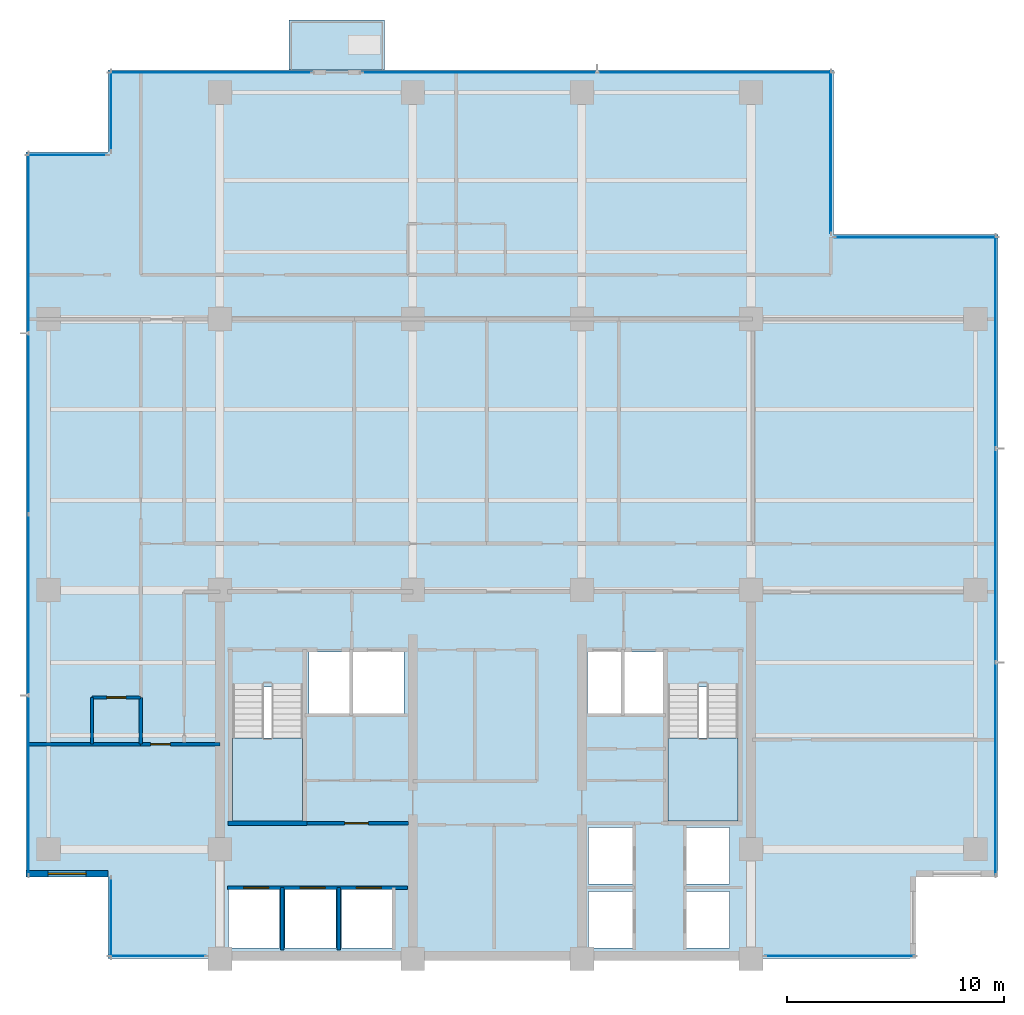
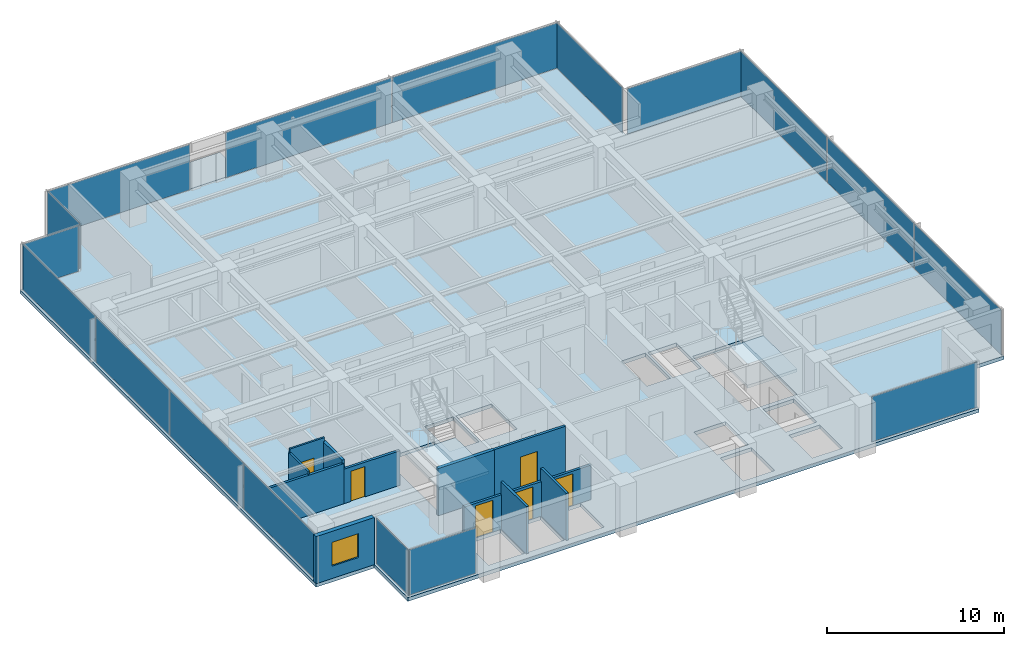
# One storey, part 6 of 14: 17 plates, 11 walls, 6 doors, 4 slabs, 1 window, 7 openings, 13 elements without a shape of their own.
"""IFC4 building model written with IfcOpenShell, lengths in metres."""

from ifc_helpers import new_model, si_unit, direction, frame, frame_2d, origin, origin_2d, place, context, subcontext, project, spatial, polyline, rectangle, outline, extrude, material, layer, layer_set, type_object, element, fill, aggregate, save


model = new_model("IFC4")

# Units and contexts
model_context = context("Model", 3, precision=1e-05, world=origin(), true_north=direction((0.0, 1.0)))
body_context = subcontext(model_context, "Body", "Model", "MODEL_VIEW")
ifc_project = project(units=[si_unit("LENGTHUNIT", "METRE"), si_unit("AREAUNIT", "SQUARE_METRE"), si_unit("VOLUMEUNIT", "CUBIC_METRE"), si_unit("PLANEANGLEUNIT", "RADIAN"), si_unit("MASSUNIT", "GRAM", prefix="KILO")], contexts=[model_context])

# Site, building, storey
site_placement = place(None, origin())
site = spatial("IfcSite", under=ifc_project, at=site_placement, CompositionType="ELEMENT")
building_placement = place(site_placement, origin())
building = spatial("IfcBuilding", under=site, at=building_placement, Name="Qalmaran Belvedere Hotel", CompositionType="ELEMENT")
storey_placement = place(building_placement, frame((0.0, 0.0, 177.10009765625)))
storey = spatial("IfcBuildingStorey", under=building, at=storey_placement, Name="L45", CompositionType="ELEMENT", Elevation=177.10009765625)

# Curtain wall, plate
ifc_material_1 = material(Name="Anodised Bronze Aluminium", Category="aluminium")
ifc_layer_1 = layer(ifc_material_1, 0.195068359375, Name="Anodised Bronze Aluminium")
ifc_layer_set_1 = layer_set([ifc_layer_1], Name="Anodised Bronze Aluminium")
curtain_wall_type = type_object("IfcCurtainWallType", Name="CW4-TOWER-HIGHMID", PredefinedType="NOTDEFINED", material=ifc_layer_set_1)
curtain_wall_1_placement = place(storey_placement, origin())
curtain_wall_1 = element("IfcCurtainWall", 1, at=curtain_wall_1_placement, inside=storey, type_object=curtain_wall_type, Name="L45 Curtain Wall CW4", PredefinedType="NOTDEFINED")
ifc_material_2 = material(Name="Solar-Control Double Glazing", Category="glass")
ifc_layer_2 = layer(ifc_material_2, 0.028076171875, Name="Solar-Control Double Glazing")
ifc_layer_set_2 = layer_set([ifc_layer_2], Name="Solar-Control Double Glazing")
plate_type = type_object("IfcPlateType", Name="CWP-VISION-28", PredefinedType="CURTAIN_PANEL", material=ifc_layer_set_2)
plate_1_placement = place(storey_placement, frame((17.429931640625, 3.6201171875, 0.06494140625), z_axis=(0.0, 0.0, 1.0), x_axis=(1.0, 0.0, 0.0)))
plate_1 = element("IfcPlate", 2, at=plate_1_placement, type_object=plate_type, Name="CW4 panel 1.1", PredefinedType="CURTAIN_PANEL", context=body_context, shape_type="SweptSolid", body=[
    extrude(rectangle(XDim=4.419921875, YDim=0.028076171875, at=origin_2d()), origin(), (0.0, 0.0, 1.0), 3.1201171875),
])
aggregate(curtain_wall_1, [plate_1])

curtain_wall_2_placement = place(storey_placement, origin())
curtain_wall_2 = element("IfcCurtainWall", 3, at=curtain_wall_2_placement, inside=storey, type_object=curtain_wall_type, Name="L45 Curtain Wall CW4", PredefinedType="NOTDEFINED")
plate_2_placement = place(storey_placement, frame((48.89501953125, 3.6201171875, 0.06494140625), z_axis=(0.0, 0.0, 1.0), x_axis=(1.0, 0.0, 0.0)))
plate_2 = element("IfcPlate", 4, at=plate_2_placement, type_object=plate_type, Name="CW4 panel 1.1", PredefinedType="CURTAIN_PANEL", context=body_context, shape_type="SweptSolid", body=[
    extrude(rectangle(XDim=6.8701171875, YDim=0.028076171875, at=origin_2d()), origin(), (0.0, 0.0, 1.0), 3.1201171875),
])
aggregate(curtain_wall_2, [plate_2])

# Curtain wall, plates
curtain_wall_3_placement = place(storey_placement, origin())
curtain_wall_3 = element("IfcCurtainWall", 5, at=curtain_wall_3_placement, inside=storey, type_object=curtain_wall_type, Name="L45 Curtain Wall CW4", PredefinedType="NOTDEFINED")
plate_3_placement = place(storey_placement, frame((56.080078125, 12.250732421875, 0.06494140625), z_axis=(0.0, 0.0, 1.0), x_axis=(0.0, 1.0, 0.0)))
plate_3 = element("IfcPlate", 6, at=plate_3_placement, type_object=plate_type, Name="CW4 panel 1.1", PredefinedType="CURTAIN_PANEL", context=body_context, shape_type="SweptSolid", body=[
    extrude(rectangle(XDim=9.76171875, YDim=0.028076171875, at=origin_2d()), origin(), (0.0, 0.0, 1.0), 3.1201171875),
])
plate_4_placement = place(storey_placement, frame((56.080078125, 22.10009765625, 0.06494140625), z_axis=(0.0, 0.0, 1.0), x_axis=(0.0, 1.0, 0.0)))
plate_4 = element("IfcPlate", 7, at=plate_4_placement, type_object=plate_type, Name="CW4 panel 2.1", PredefinedType="CURTAIN_PANEL", context=body_context, shape_type="SweptSolid", body=[
    extrude(rectangle(XDim=9.796630859375, YDim=0.028076171875, at=origin_2d()), origin(), (0.0, 0.0, 1.0), 3.1201171875),
])
plate_5_placement = place(storey_placement, frame((56.080078125, 31.94921875, 0.06494140625), z_axis=(0.0, 0.0, 1.0), x_axis=(0.0, 1.0, 0.0)))
plate_5 = element("IfcPlate", 8, at=plate_5_placement, type_object=plate_type, Name="CW4 panel 3.1", PredefinedType="CURTAIN_PANEL", context=body_context, shape_type="SweptSolid", body=[
    extrude(rectangle(XDim=9.76171875, YDim=0.028076171875, at=origin_2d()), origin(), (0.0, 0.0, 1.0), 3.1201171875),
])
aggregate(curtain_wall_3, [plate_3, plate_4, plate_5])

# Curtain wall, plate
curtain_wall_4_placement = place(storey_placement, origin())
curtain_wall_4 = element("IfcCurtainWall", 9, at=curtain_wall_4_placement, inside=storey, type_object=curtain_wall_type, Name="L45 Curtain Wall CW4", PredefinedType="NOTDEFINED")
plate_6_placement = place(storey_placement, frame((52.39990234375, 36.780029296875, 0.06494140625), z_axis=(0.0, 0.0, 1.0), x_axis=(-1.0, 0.0, 0.0)))
plate_6 = element("IfcPlate", 10, at=plate_6_placement, type_object=plate_type, Name="CW4 panel 1.1", PredefinedType="CURTAIN_PANEL", context=body_context, shape_type="SweptSolid", body=[
    extrude(rectangle(XDim=7.4599609375, YDim=0.028076171875, at=origin_2d()), origin(), (0.0, 0.0, 1.0), 3.1201171875),
])
aggregate(curtain_wall_4, [plate_6])

curtain_wall_5_placement = place(storey_placement, origin())
curtain_wall_5 = element("IfcCurtainWall", 11, at=curtain_wall_5_placement, inside=storey, type_object=curtain_wall_type, Name="L45 Curtain Wall CW4", PredefinedType="NOTDEFINED")
plate_7_placement = place(storey_placement, frame((48.47998046875, 40.699951171875, 0.06494140625), z_axis=(0.0, 0.0, 1.0), x_axis=(0.0, 1.0, 0.0)))
plate_7 = element("IfcPlate", 12, at=plate_7_placement, type_object=plate_type, Name="CW4 panel 1.1", PredefinedType="CURTAIN_PANEL", context=body_context, shape_type="SweptSolid", body=[
    extrude(rectangle(XDim=7.4599609375, YDim=0.028076171875, at=origin_2d()), origin(), (0.0, 0.0, 1.0), 3.1201171875),
])
aggregate(curtain_wall_5, [plate_7])

curtain_wall_6_placement = place(storey_placement, origin())
curtain_wall_6 = element("IfcCurtainWall", 13, at=curtain_wall_6_placement, inside=storey, type_object=curtain_wall_type, Name="L45 Curtain Wall CW4", PredefinedType="NOTDEFINED")
plate_8_placement = place(storey_placement, frame((19.875, 44.3798828125, 0.06494140625), z_axis=(0.0, 0.0, 1.0), x_axis=(-1.0, 0.0, 0.0)))
plate_8 = element("IfcPlate", 14, at=plate_8_placement, type_object=plate_type, Name="CW4 panel 1.1", PredefinedType="CURTAIN_PANEL", context=body_context, shape_type="SweptSolid", body=[
    extrude(rectangle(XDim=9.31005859375, YDim=0.028076171875, at=origin_2d()), origin(), (0.0, 0.0, 1.0), 3.1201171875),
])
aggregate(curtain_wall_6, [plate_8])

# Curtain wall, plates
curtain_wall_7_placement = place(storey_placement, origin())
curtain_wall_7 = element("IfcCurtainWall", 15, at=curtain_wall_7_placement, inside=storey, type_object=curtain_wall_type, Name="L45 Curtain Wall CW4", PredefinedType="NOTDEFINED")
plate_9_placement = place(storey_placement, frame((43.132568359375, 44.3798828125, 0.06494140625), z_axis=(0.0, 0.0, 1.0), x_axis=(-1.0, 0.0, 0.0)))
plate_9 = element("IfcPlate", 16, at=plate_9_placement, type_object=plate_type, Name="CW4 panel 1.1", PredefinedType="CURTAIN_PANEL", context=body_context, shape_type="SweptSolid", body=[
    extrude(rectangle(XDim=10.794921875, YDim=0.028076171875, at=origin_2d()), origin(), (0.0, 0.0, 1.0), 3.1201171875),
])
plate_10_placement = place(storey_placement, frame((32.267578125, 44.3798828125, 0.06494140625), z_axis=(0.0, 0.0, 1.0), x_axis=(-1.0, 0.0, 0.0)))
plate_10 = element("IfcPlate", 17, at=plate_10_placement, type_object=plate_type, Name="CW4 panel 2.1", PredefinedType="CURTAIN_PANEL", context=body_context, shape_type="SweptSolid", body=[
    extrude(rectangle(XDim=10.794921875, YDim=0.028076171875, at=origin_2d()), origin(), (0.0, 0.0, 1.0), 3.1201171875),
])
aggregate(curtain_wall_7, [plate_9, plate_10])

# Curtain wall, plate
curtain_wall_8_placement = place(storey_placement, origin())
curtain_wall_8 = element("IfcCurtainWall", 18, at=curtain_wall_8_placement, inside=storey, type_object=curtain_wall_type, Name="L45 Curtain Wall CW4", PredefinedType="NOTDEFINED")
plate_11_placement = place(storey_placement, frame((15.27001953125, 42.60009765625, 0.06494140625), z_axis=(0.0, 0.0, 1.0), x_axis=(0.0, -1.0, 0.0)))
plate_11 = element("IfcPlate", 19, at=plate_11_placement, type_object=plate_type, Name="CW4 panel 1.1", PredefinedType="CURTAIN_PANEL", context=body_context, shape_type="SweptSolid", body=[
    extrude(rectangle(XDim=3.659912109375, YDim=0.028076171875, at=origin_2d()), origin(), (0.0, 0.0, 1.0), 3.1201171875),
])
aggregate(curtain_wall_8, [plate_11])

curtain_wall_9_placement = place(storey_placement, origin())
curtain_wall_9 = element("IfcCurtainWall", 20, at=curtain_wall_9_placement, inside=storey, type_object=curtain_wall_type, Name="L45 Curtain Wall CW4", PredefinedType="NOTDEFINED")
plate_12_placement = place(storey_placement, frame((13.25, 40.580078125, 0.06494140625), z_axis=(0.0, 0.0, 1.0), x_axis=(-1.0, 0.0, 0.0)))
plate_12 = element("IfcPlate", 21, at=plate_12_placement, type_object=plate_type, Name="CW4 panel 1.1", PredefinedType="CURTAIN_PANEL", context=body_context, shape_type="SweptSolid", body=[
    extrude(rectangle(XDim=3.659912109375, YDim=0.028076171875, at=origin_2d()), origin(), (0.0, 0.0, 1.0), 3.1201171875),
])
aggregate(curtain_wall_9, [plate_12])

# Curtain wall, plates
curtain_wall_10_placement = place(storey_placement, origin())
curtain_wall_10 = element("IfcCurtainWall", 22, at=curtain_wall_10_placement, inside=storey, type_object=curtain_wall_type, Name="L45 Curtain Wall CW4", PredefinedType="NOTDEFINED")
plate_13_placement = place(storey_placement, frame((11.469970703125, 36.507568359375, 0.06494140625), z_axis=(0.0, 0.0, 1.0), x_axis=(0.0, -1.0, 0.0)))
plate_13 = element("IfcPlate", 23, at=plate_13_placement, type_object=plate_type, Name="CW4 panel 1.1", PredefinedType="CURTAIN_PANEL", context=body_context, shape_type="SweptSolid", body=[
    extrude(rectangle(XDim=8.2451171875, YDim=0.028076171875, at=origin_2d()), origin(), (0.0, 0.0, 1.0), 3.1201171875),
])
plate_14_placement = place(storey_placement, frame((11.469970703125, 28.175048828125, 0.06494140625), z_axis=(0.0, 0.0, 1.0), x_axis=(0.0, -1.0, 0.0)))
plate_14 = element("IfcPlate", 24, at=plate_14_placement, type_object=plate_type, Name="CW4 panel 2.1", PredefinedType="CURTAIN_PANEL", context=body_context, shape_type="SweptSolid", body=[
    extrude(rectangle(XDim=8.280029296875, YDim=0.028076171875, at=origin_2d()), origin(), (0.0, 0.0, 1.0), 3.1201171875),
])
plate_15_placement = place(storey_placement, frame((11.469970703125, 19.824951171875, 0.06494140625), z_axis=(0.0, 0.0, 1.0), x_axis=(0.0, -1.0, 0.0)))
plate_15 = element("IfcPlate", 25, at=plate_15_placement, type_object=plate_type, Name="CW4 panel 3.1", PredefinedType="CURTAIN_PANEL", context=body_context, shape_type="SweptSolid", body=[
    extrude(rectangle(XDim=8.280029296875, YDim=0.028076171875, at=origin_2d()), origin(), (0.0, 0.0, 1.0), 3.1201171875),
])
plate_16_placement = place(storey_placement, frame((11.469970703125, 11.492431640625, 0.06494140625), z_axis=(0.0, 0.0, 1.0), x_axis=(0.0, -1.0, 0.0)))
plate_16 = element("IfcPlate", 26, at=plate_16_placement, type_object=plate_type, Name="CW4 panel 4.1", PredefinedType="CURTAIN_PANEL", context=body_context, shape_type="SweptSolid", body=[
    extrude(rectangle(XDim=8.2451171875, YDim=0.028076171875, at=origin_2d()), origin(), (0.0, 0.0, 1.0), 3.1201171875),
])
aggregate(curtain_wall_10, [plate_13, plate_14, plate_15, plate_16])

# Curtain wall, plate
curtain_wall_11_placement = place(storey_placement, origin())
curtain_wall_11 = element("IfcCurtainWall", 27, at=curtain_wall_11_placement, inside=storey, type_object=curtain_wall_type, Name="L45 Curtain Wall CW4", PredefinedType="NOTDEFINED")
plate_17_placement = place(storey_placement, frame((15.27001953125, 5.39990234375, 0.06494140625), z_axis=(0.0, 0.0, 1.0), x_axis=(0.0, -1.0, 0.0)))
plate_17 = element("IfcPlate", 28, at=plate_17_placement, type_object=plate_type, Name="CW4 panel 1.1", PredefinedType="CURTAIN_PANEL", context=body_context, shape_type="SweptSolid", body=[
    extrude(rectangle(XDim=3.659912109375, YDim=0.028076171875, at=origin_2d()), origin(), (0.0, 0.0, 1.0), 3.1201171875),
])
aggregate(curtain_wall_11, [plate_17])

# Slab
ifc_material_3 = material(Name="Concrete C40/50", Category="concrete")
ifc_layer_3 = layer(ifc_material_3, 0.219970703125, Name="Concrete C40/50")
ifc_layer_set_3 = layer_set([ifc_layer_3], Name="Concrete C40/50")
slab_type_1 = type_object("IfcSlabType", Name="SLB-BAL-220", PredefinedType="USERDEFINED", material=ifc_layer_set_3)
slab_1_placement = place(storey_placement, frame((0.0, 0.0, -0.22021484375)))
element("IfcSlab", 29, at=slab_1_placement, inside=storey, type_object=slab_type_1, Name="L45 Planted Tree Balcony Slab 1", ObjectType="BALCONY", PredefinedType="USERDEFINED", context=body_context, shape_type="SweptSolid", body=[
    extrude(outline(polyline([(23.5, 44.5), (27.89990234375, 44.5), (27.89990234375, 46.800048828125), (23.5, 46.800048828125), (23.5, 44.5)])), origin(), (0.0, 0.0, 1.0), 0.22021484375),
])

# Stair, slab
stair_type_1 = type_object("IfcStairType", Name="STR-ST-1-1450-R1750", PredefinedType="HALF_TURN_STAIR", material=ifc_material_3)
stair_1_placement = place(storey_placement, origin())
stair_1 = element("IfcStair", 30, at=stair_1_placement, inside=storey, type_object=stair_type_1, Name="L45 West Core Exit Stair ST-1", PredefinedType="HALF_TURN_STAIR")
ifc_layer_4 = layer(ifc_material_3, 0.199951171875, Name="Concrete C40/50")
ifc_layer_set_4 = layer_set([ifc_layer_4], Name="Concrete C40/50")
slab_type_2 = type_object("IfcSlabType", Name="SLB-STAIR-LANDING-200", PredefinedType="LANDING", material=ifc_layer_set_4)
slab_2_placement = place(storey_placement, frame((0.0, 0.0, 1.5498046875)))
slab_2 = element("IfcSlab", 31, at=slab_2_placement, type_object=slab_type_2, Name="ST-1 landing 1", PredefinedType="LANDING", context=body_context, shape_type="SweptSolid", body=[
    extrude(outline(polyline([(20.8798828125, 13.669921875), (20.8798828125, 9.85009765625), (24.1201171875, 9.85009765625), (24.1201171875, 13.669921875), (20.8798828125, 13.669921875)])), origin(), (0.0, 0.0, 1.0), 0.2001953125),
])
aggregate(stair_1, [slab_2])

stair_type_2 = type_object("IfcStairType", Name="STR-ST-2-1450-R1750", PredefinedType="HALF_TURN_STAIR", material=ifc_material_3)
stair_2_placement = place(storey_placement, origin())
stair_2 = element("IfcStair", 32, at=stair_2_placement, inside=storey, type_object=stair_type_2, Name="L45 East Core Exit Stair ST-2", PredefinedType="HALF_TURN_STAIR")
slab_3_placement = place(storey_placement, frame((0.0, 0.0, 1.5498046875)))
slab_3 = element("IfcSlab", 33, at=slab_3_placement, type_object=slab_type_2, Name="ST-2 landing 1", PredefinedType="LANDING", context=body_context, shape_type="SweptSolid", body=[
    extrude(outline(polyline([(40.9599609375, 13.669921875), (40.9599609375, 9.85009765625), (44.199951171875, 9.85009765625), (44.199951171875, 13.669921875), (40.9599609375, 13.669921875)])), origin(), (0.0, 0.0, 1.0), 0.2001953125),
])
aggregate(stair_2, [slab_3])

# Slab
ifc_layer_5 = layer(ifc_material_3, 0.25, Name="Concrete C40/50")
ifc_layer_set_5 = layer_set([ifc_layer_5], Name="Concrete C40/50")
slab_type_3 = type_object("IfcSlabType", Name="SLB-Z3-250", PredefinedType="FLOOR", material=ifc_layer_set_5)
slab_4_placement = place(storey_placement, frame((0.0, 0.0, -0.25)))
element("IfcSlab", 34, at=slab_4_placement, inside=storey, type_object=slab_type_3, Name="L45 Structural Floor Slab", PredefinedType="FLOOR", context=body_context, shape_type="SweptSolid", body=[
    extrude(outline(polyline([(15.14990234375, 3.5), (52.39990234375, 3.5), (52.39990234375, 7.300048828125), (56.199951171875, 7.300048828125), (56.199951171875, 36.89990234375), (48.60009765625, 36.89990234375), (48.60009765625, 44.5), (15.14990234375, 44.5), (15.14990234375, 40.699951171875), (11.35009765625, 40.699951171875), (11.35009765625, 7.300048828125), (15.14990234375, 7.300048828125), (15.14990234375, 3.5)]), holes=[polyline([(20.8798828125, 9.85009765625), (24.1201171875, 9.85009765625), (24.1201171875, 16.0400390625), (20.8798828125, 16.0400390625), (20.8798828125, 9.85009765625)]), polyline([(40.9599609375, 9.85009765625), (44.199951171875, 9.85009765625), (44.199951171875, 16.0400390625), (40.9599609375, 16.0400390625), (40.9599609375, 9.85009765625)]), polyline([(37.300048828125, 4.0), (39.35009765625, 4.0), (39.35009765625, 6.60009765625), (37.300048828125, 6.60009765625), (37.300048828125, 4.0)]), polyline([(37.300048828125, 6.949951171875), (39.35009765625, 6.949951171875), (39.35009765625, 9.550048828125), (37.300048828125, 9.550048828125), (37.300048828125, 6.949951171875)]), polyline([(41.800048828125, 4.0), (43.800048828125, 4.0), (43.800048828125, 6.60009765625), (41.800048828125, 6.60009765625), (41.800048828125, 4.0)]), polyline([(41.800048828125, 6.949951171875), (43.800048828125, 6.949951171875), (43.800048828125, 9.550048828125), (41.800048828125, 9.550048828125), (41.800048828125, 6.949951171875)]), polyline([(20.699951171875, 4.0), (23.050048828125, 4.0), (23.050048828125, 6.699951171875), (20.699951171875, 6.699951171875), (20.699951171875, 4.0)]), polyline([(23.300048828125, 4.0), (25.64990234375, 4.0), (25.64990234375, 6.699951171875), (23.300048828125, 6.699951171875), (23.300048828125, 4.0)]), polyline([(25.89990234375, 4.0), (28.25, 4.0), (28.25, 6.699951171875), (25.89990234375, 6.699951171875), (25.89990234375, 4.0)]), polyline([(24.39990234375, 14.800048828125), (26.300048828125, 14.800048828125), (26.300048828125, 17.64990234375), (24.39990234375, 17.64990234375), (24.39990234375, 14.800048828125)]), polyline([(38.949951171875, 14.800048828125), (40.820068359375, 14.800048828125), (40.820068359375, 17.64990234375), (38.949951171875, 17.64990234375), (38.949951171875, 14.800048828125)]), polyline([(26.449951171875, 14.800048828125), (28.800048828125, 14.800048828125), (28.800048828125, 17.64990234375), (26.449951171875, 17.64990234375), (26.449951171875, 14.800048828125)]), polyline([(37.25, 14.800048828125), (38.800048828125, 14.800048828125), (38.800048828125, 17.64990234375), (37.25, 17.64990234375), (37.25, 14.800048828125)])]), origin(), (0.0, 0.0, 1.0), 0.25),
])

# Wall, opening, window
ifc_material_4 = material(Name="Anodised Bronze Cladding")
ifc_layer_6 = layer(ifc_material_4, 0.280029296875, Name="Anodised Bronze Cladding")
ifc_layer_set_6 = layer_set([ifc_layer_6], Name="Anodised Bronze Cladding")
wall_type_1 = type_object("IfcWallType", Name="WL-EXT-BRNZ-280", PredefinedType="SOLIDWALL", material=ifc_layer_set_6)
wall_1_placement = place(storey_placement, frame((11.35009765625, 7.419921875, 0.0), z_axis=(0.0, 0.0, 1.0), x_axis=(1.0, 0.0, 0.0)))
wall_1 = element("IfcWall", 35, at=wall_1_placement, inside=storey, type_object=wall_type_1, Name="L45 Corner Notch Wall 10", PredefinedType="SOLIDWALL", context=body_context, shape_type="SweptSolid", body=[
    extrude(rectangle(XDim=3.7998046875, YDim=0.280029296875, at=frame_2d((1.89990234375, 0.0))), origin(), (0.0, 0.0, 1.0), 3.25),
])
opening_1_placement = place(wall_1_placement, frame((1.02490234375, 0.0, 0.85009765625)))
opening_1 = element("IfcOpeningElement", 36, at=opening_1_placement, cuts=wall_1, Name="Opening W-N17", PredefinedType="OPENING", context=body_context, shape_type="SweptSolid", body=[
    extrude(rectangle(XDim=1.75, YDim=1.64990234375, at=frame_2d((0.875, 0.824951171875))), frame((0.0, 0.14990234375, 0.0), z_axis=(0.0, -1.0, 0.0), x_axis=(1.0, 0.0, 0.0)), (0.0, 0.0, 1.0), 0.300048828125),
])
window_type = type_object("IfcWindowType", Name="WN-NTC-1750X1650", PartitioningType="SINGLE_PANEL", PredefinedType="WINDOW", material=ifc_material_2)
window_placement = place(opening_1_placement, origin())
window = element("IfcWindow", 37, at=window_placement, inside=storey, type_object=window_type, Name="L45 Corner Notch Window 10", OverallHeight=1.64990234375, OverallWidth=1.75, PartitioningType="SINGLE_PANEL", PredefinedType="WINDOW", context=body_context, shape_type="SweptSolid", body=[
    extrude(rectangle(XDim=1.75, YDim=1.64990234375, at=frame_2d((0.875, 0.824951171875))), frame((0.0, 0.030029296875, 0.0), z_axis=(0.0, -1.0, 0.0), x_axis=(1.0, 0.0, 0.0)), (0.0, 0.0, 1.0), 0.06005859375),
])
fill(opening_1, window)

# Wall, opening, door
ifc_material_5 = material(Name="Moisture-Resistant Gypsum")
ifc_layer_7 = layer(ifc_material_5, 0.1201171875, Name="Moisture-Resistant Gypsum")
ifc_layer_set_7 = layer_set([ifc_layer_7], Name="Moisture-Resistant Gypsum")
wall_type_2 = type_object("IfcWallType", Name="WL-INT-120-BATH", PredefinedType="PARTITIONING", material=ifc_layer_set_7)
wall_2_placement = place(storey_placement, frame((14.39990234375, 15.550048828125, 0.0), z_axis=(0.0, 0.0, 1.0), x_axis=(1.0, 0.0, 0.0)))
wall_2 = element("IfcWall", 38, at=wall_2_placement, inside=storey, type_object=wall_type_2, Name="L45 Partition WL-L45-WBN00", PredefinedType="PARTITIONING", context=body_context, shape_type="SweptSolid", body=[
    extrude(rectangle(XDim=2.25, YDim=0.1201171875, at=frame_2d((1.125, 0.0))), origin(), (0.0, 0.0, 1.0), 3.25),
])
opening_2_placement = place(wall_2_placement, frame((1.56494140625, 0.0, 0.0), z_axis=(0.0, 0.0, 1.0), x_axis=(-1.0, 0.0, 0.0)))
opening_2 = element("IfcOpeningElement", 39, at=opening_2_placement, cuts=wall_2, Name="Opening D-BATH", PredefinedType="OPENING", context=body_context, shape_type="SweptSolid", body=[
    extrude(rectangle(XDim=0.8798828125, YDim=2.080078125, at=frame_2d((0.43994140625, 1.0400390625))), frame((0.0, 0.070068359375, 0.0), z_axis=(0.0, -1.0, 0.0), x_axis=(1.0, 0.0, 0.0)), (0.0, 0.0, 1.0), 0.14013671875),
])
ifc_material_6 = material(Name="Engineered Oak Veneer")
door_type_1 = type_object("IfcDoorType", Name="DR-INT-BATH-880X2080", OperationType="NOTDEFINED", PredefinedType="DOOR", material=ifc_material_6)
door_1_placement = place(opening_2_placement, origin())
door_1 = element("IfcDoor", 40, at=door_1_placement, inside=storey, type_object=door_type_1, Name="L45 W Ensuite Door 01", OperationType="SINGLE_SWING_RIGHT", OverallHeight=2.080078125, OverallWidth=0.8798828125, PredefinedType="DOOR", context=body_context, shape_type="SweptSolid", body=[
    extrude(rectangle(XDim=0.8798828125, YDim=2.080078125, at=frame_2d((0.43994140625, 1.0400390625))), frame((0.0, 0.02490234375, 0.0), z_axis=(0.0, -1.0, 0.0), x_axis=(1.0, 0.0, 0.0)), (0.0, 0.0, 1.0), 0.050048828125),
])
fill(opening_2, door_1)

# Walls
wall_3_placement = place(storey_placement, frame((14.39990234375, 13.39990234375, 0.0), z_axis=(0.0, 0.0, 1.0), x_axis=(0.0, 1.0, 0.0)))
element("IfcWall", 41, at=wall_3_placement, inside=storey, type_object=wall_type_2, Name="L45 Partition WL-L45-WBS00", PredefinedType="PARTITIONING", context=body_context, shape_type="SweptSolid", body=[
    extrude(rectangle(XDim=2.150146484375, YDim=0.1201171875, at=frame_2d((1.0751953125, 0.0))), origin(), (0.0, 0.0, 1.0), 2.98779296875),
])
ifc_material_7 = material(Name="Gypsum Stud Partition")
ifc_layer_8 = layer(ifc_material_7, 0.14990234375, Name="Gypsum Stud Partition")
ifc_layer_set_8 = layer_set([ifc_layer_8], Name="Gypsum Stud Partition")
wall_type_3 = type_object("IfcWallType", Name="WL-INT-150-EI120", PredefinedType="PARTITIONING", material=ifc_layer_set_8)
for number, where, z_axis, x_axis, name in (
    (42, (23.179931640625, 3.89990234375, 0.0), (0.0, 0.0, 1.0), (0.0, 1.0, 0.0), "L45 Partition WL-POM1-L45"),
    (43, (25.780029296875, 3.89990234375, 0.0), (0.0, 0.0, 1.0), (0.0, 1.0, 0.0), "L45 Partition WL-POM2-L45"),
):
    element("IfcWall", number, at=place(storey_placement, frame(where, z_axis=z_axis, x_axis=x_axis)), inside=storey, type_object=wall_type_3, Name=name, PredefinedType="PARTITIONING", context=body_context, shape_type="SweptSolid", body=[
        extrude(rectangle(XDim=2.880126953125, YDim=0.14990234375, at=frame_2d((1.43994140625, 0.0))), origin(), (0.0, 0.0, 1.0), 3.25),
    ])

# Wall, openings, doors
ifc_layer_9 = layer(ifc_material_7, 0.159912109375, Name="Gypsum Stud Partition")
ifc_layer_set_9 = layer_set([ifc_layer_9], Name="Gypsum Stud Partition")
wall_type_4 = type_object("IfcWallType", Name="WL-INT-160-EI120", PredefinedType="PARTITIONING", material=ifc_layer_set_9)
wall_4_placement = place(storey_placement, frame((20.64990234375, 6.780029296875, 0.0), z_axis=(0.0, 0.0, 1.0), x_axis=(1.0, 0.0, 0.0)))
wall_4 = element("IfcWall", 44, at=wall_4_placement, inside=storey, type_object=wall_type_4, Name="L45 Partition WL-POS-L45", PredefinedType="PARTITIONING", context=body_context, shape_type="SweptSolid", body=[
    extrude(rectangle(XDim=8.300048828125, YDim=0.159912109375, at=frame_2d((4.14990234375, 0.0))), origin(), (0.0, 0.0, 1.0), 2.3798828125),
])
opening_3_placement = place(wall_4_placement, frame((0.75, 0.0, 0.0)))
opening_3 = element("IfcOpeningElement", 45, at=opening_3_placement, cuts=wall_4, Name="Opening LD-PO", PredefinedType="OPENING", context=body_context, shape_type="SweptSolid", body=[
    extrude(rectangle(XDim=1.14990234375, YDim=2.199951171875, at=frame_2d((0.574951171875, 1.10009765625))), frame((0.0, 0.08984375, 0.0), z_axis=(0.0, -1.0, 0.0), x_axis=(1.0, 0.0, 0.0)), (0.0, 0.0, 1.0), 0.179931640625),
])
opening_4_placement = place(wall_4_placement, frame((3.35009765625, 0.0, 0.0)))
opening_4 = element("IfcOpeningElement", 46, at=opening_4_placement, cuts=wall_4, Name="Opening LD-PO", PredefinedType="OPENING", context=body_context, shape_type="SweptSolid", body=[
    extrude(rectangle(XDim=1.14990234375, YDim=2.199951171875, at=frame_2d((0.574951171875, 1.10009765625))), frame((0.0, 0.08984375, 0.0), z_axis=(0.0, -1.0, 0.0), x_axis=(1.0, 0.0, 0.0)), (0.0, 0.0, 1.0), 0.179931640625),
])
opening_5_placement = place(wall_4_placement, frame((5.949951171875, 0.0, 0.0)))
opening_5 = element("IfcOpeningElement", 47, at=opening_5_placement, cuts=wall_4, Name="Opening LD-PO", PredefinedType="OPENING", context=body_context, shape_type="SweptSolid", body=[
    extrude(rectangle(XDim=1.14990234375, YDim=2.199951171875, at=frame_2d((0.574951171875, 1.10009765625))), frame((0.0, 0.08984375, 0.0), z_axis=(0.0, -1.0, 0.0), x_axis=(1.0, 0.0, 0.0)), (0.0, 0.0, 1.0), 0.179931640625),
])
door_type_2 = type_object("IfcDoorType", Name="DR-LIFT-PO-1150X2200", OperationType="DOUBLE_DOOR_SLIDING", PredefinedType="DOOR", material=ifc_material_1)
door_2_placement = place(opening_3_placement, origin())
door_2 = element("IfcDoor", 48, at=door_2_placement, inside=storey, type_object=door_type_2, Name="L45 PO1 Shuttle Landing Door", OperationType="DOUBLE_DOOR_SLIDING", OverallHeight=2.199951171875, OverallWidth=1.14990234375, PredefinedType="DOOR", context=body_context, shape_type="SweptSolid", body=[
    extrude(rectangle(XDim=1.14990234375, YDim=2.199951171875, at=frame_2d((0.574951171875, 1.10009765625))), frame((0.0, 0.02490234375, 0.0), z_axis=(0.0, -1.0, 0.0), x_axis=(1.0, 0.0, 0.0)), (0.0, 0.0, 1.0), 0.050048828125),
])
fill(opening_3, door_2)
door_3_placement = place(opening_4_placement, origin())
door_3 = element("IfcDoor", 49, at=door_3_placement, inside=storey, type_object=door_type_2, Name="L45 PO2 Shuttle Landing Door", OperationType="DOUBLE_DOOR_SLIDING", OverallHeight=2.199951171875, OverallWidth=1.14990234375, PredefinedType="DOOR", context=body_context, shape_type="SweptSolid", body=[
    extrude(rectangle(XDim=1.14990234375, YDim=2.199951171875, at=frame_2d((0.574951171875, 1.10009765625))), frame((0.0, 0.02490234375, 0.0), z_axis=(0.0, -1.0, 0.0), x_axis=(1.0, 0.0, 0.0)), (0.0, 0.0, 1.0), 0.050048828125),
])
fill(opening_4, door_3)
door_4_placement = place(opening_5_placement, origin())
door_4 = element("IfcDoor", 50, at=door_4_placement, inside=storey, type_object=door_type_2, Name="L45 PO3 Shuttle Landing Door", OperationType="DOUBLE_DOOR_SLIDING", OverallHeight=2.199951171875, OverallWidth=1.14990234375, PredefinedType="DOOR", context=body_context, shape_type="SweptSolid", body=[
    extrude(rectangle(XDim=1.14990234375, YDim=2.199951171875, at=frame_2d((0.574951171875, 1.10009765625))), frame((0.0, 0.02490234375, 0.0), z_axis=(0.0, -1.0, 0.0), x_axis=(1.0, 0.0, 0.0)), (0.0, 0.0, 1.0), 0.050048828125),
])
fill(opening_5, door_4)

# Wall, opening, door
wall_5_placement = place(storey_placement, frame((24.199951171875, 9.739990234375, 0.0), z_axis=(0.0, 0.0, 1.0), x_axis=(1.0, 0.0, 0.0)))
wall_5 = element("IfcWall", 51, at=wall_5_placement, inside=storey, type_object=wall_type_4, Name="L45 Partition WL-PON-L45", PredefinedType="PARTITIONING", context=body_context, shape_type="SweptSolid", body=[
    extrude(rectangle(XDim=4.800048828125, YDim=0.159912109375, at=frame_2d((2.39990234375, 0.0))), origin(), (0.0, 0.0, 1.0), 3.25),
])
opening_6_placement = place(wall_5_placement, frame((1.85009765625, 0.0, 0.0)))
opening_6 = element("IfcOpeningElement", 52, at=opening_6_placement, cuts=wall_5, Name="Opening FD90", PredefinedType="OPENING", context=body_context, shape_type="SweptSolid", body=[
    extrude(rectangle(XDim=1.10009765625, YDim=2.14990234375, at=frame_2d((0.550048828125, 1.074951171875))), frame((0.0, 0.08984375, 0.0), z_axis=(0.0, -1.0, 0.0), x_axis=(1.0, 0.0, 0.0)), (0.0, 0.0, 1.0), 0.179931640625),
])
ifc_material_8 = material(Name="Steel S355JR", Category="steel")
door_type_3 = type_object("IfcDoorType", Name="DR-FD90-1100X2150", OperationType="NOTDEFINED", PredefinedType="DOOR", material=ifc_material_8)
door_5_placement = place(opening_6_placement, origin())
door_5 = element("IfcDoor", 53, at=door_5_placement, inside=storey, type_object=door_type_3, Name="L45 Shuttle Lobby Passage Door", OperationType="SINGLE_SWING_LEFT", OverallHeight=2.14990234375, OverallWidth=1.10009765625, PredefinedType="DOOR", context=body_context, shape_type="SweptSolid", body=[
    extrude(rectangle(XDim=1.10009765625, YDim=2.14990234375, at=frame_2d((0.550048828125, 1.074951171875))), frame((0.0, 0.02490234375, 0.0), z_axis=(0.0, -1.0, 0.0), x_axis=(1.0, 0.0, 0.0)), (0.0, 0.0, 1.0), 0.050048828125),
])
fill(opening_6, door_5)

ifc_layer_10 = layer(ifc_material_7, 0.159912109375, Name="Gypsum Stud Partition")
ifc_layer_set_10 = layer_set([ifc_layer_10], Name="Gypsum Stud Partition")
wall_type_5 = type_object("IfcWallType", Name="WL-INT-160-EI60", PredefinedType="PARTITIONING", material=ifc_layer_set_10)
wall_6_placement = place(storey_placement, frame((16.64990234375, 13.39990234375, 0.0), z_axis=(0.0, 0.0, 1.0), x_axis=(1.0, 0.0, 0.0)))
wall_6 = element("IfcWall", 54, at=wall_6_placement, inside=storey, type_object=wall_type_5, Name="L45 Partition WL-L45-SWRL", PredefinedType="PARTITIONING", context=body_context, shape_type="SweptSolid", body=[
    extrude(rectangle(XDim=3.650146484375, YDim=0.159912109375, at=frame_2d((1.8251953125, 0.0))), origin(), (0.0, 0.0, 1.0), 2.3798828125),
])
opening_7_placement = place(wall_6_placement, frame((1.369873046875, 0.0, 0.0), z_axis=(0.0, 0.0, 1.0), x_axis=(-1.0, 0.0, 0.0)))
opening_7 = element("IfcOpeningElement", 55, at=opening_7_placement, cuts=wall_6, Name="Opening FD60S1", PredefinedType="OPENING", context=body_context, shape_type="SweptSolid", body=[
    extrude(rectangle(XDim=0.919921875, YDim=2.080078125, at=frame_2d((0.4599609375, 1.0400390625))), frame((0.0, 0.08984375, 0.0), z_axis=(0.0, -1.0, 0.0), x_axis=(1.0, 0.0, 0.0)), (0.0, 0.0, 1.0), 0.179931640625),
])
door_type_4 = type_object("IfcDoorType", Name="DR-FD60S-920X2080", OperationType="NOTDEFINED", PredefinedType="DOOR", material=ifc_material_6)
door_6_placement = place(opening_7_placement, origin())
door_6 = element("IfcDoor", 56, at=door_6_placement, inside=storey, type_object=door_type_4, Name="L45 SW Study Door", OperationType="SINGLE_SWING_RIGHT", OverallHeight=2.080078125, OverallWidth=0.919921875, PredefinedType="DOOR", context=body_context, shape_type="SweptSolid", body=[
    extrude(rectangle(XDim=0.919921875, YDim=2.080078125, at=frame_2d((0.4599609375, 1.0400390625))), frame((0.0, 0.02490234375, 0.0), z_axis=(0.0, -1.0, 0.0), x_axis=(1.0, 0.0, 0.0)), (0.0, 0.0, 1.0), 0.050048828125),
])
fill(opening_7, door_6)

# Walls
wall_7_placement = place(storey_placement, frame((11.469970703125, 13.39990234375, 0.0), z_axis=(0.0, 0.0, 1.0), x_axis=(1.0, 0.0, 0.0)))
element("IfcWall", 57, at=wall_7_placement, inside=storey, type_object=wall_type_5, Name="L45 Partition WL-L45-WBOT", PredefinedType="PARTITIONING", context=body_context, shape_type="SweptSolid", body=[
    extrude(rectangle(XDim=5.179931640625, YDim=0.159912109375, at=frame_2d((2.58984375, 0.0))), origin(), (0.0, 0.0, 1.0), 2.77197265625),
])
ifc_layer_11 = layer(ifc_material_7, 0.179931640625, Name="Gypsum Stud Partition")
ifc_layer_set_11 = layer_set([ifc_layer_11], Name="Gypsum Stud Partition")
wall_type_6 = type_object("IfcWallType", Name="WL-INT-180-EI60", PredefinedType="PARTITIONING", material=ifc_layer_set_11)
wall_8_placement = place(storey_placement, frame((16.64990234375, 13.39990234375, 0.0), z_axis=(0.0, 0.0, 1.0), x_axis=(0.0, 1.0, 0.0)))
element("IfcWall", 58, at=wall_8_placement, inside=storey, type_object=wall_type_6, Name="L45 Partition WL-L45-WBC00", PredefinedType="PARTITIONING", context=body_context, shape_type="SweptSolid", body=[
    extrude(rectangle(XDim=2.150146484375, YDim=0.179931640625, at=frame_2d((1.0751953125, 0.0))), origin(), (0.0, 0.0, 1.0), 2.98779296875),
])
ifc_material_9 = material(Name="Concrete C50/60", Category="concrete")
ifc_layer_12 = layer(ifc_material_9, 0.2099609375, Name="Concrete C50/60")
ifc_layer_set_12 = layer_set([ifc_layer_12], Name="Concrete C50/60")
wall_type_7 = type_object("IfcWallType", Name="WL-STAIR-210-C50", PredefinedType="SHEAR", material=ifc_layer_set_12)
wall_9_placement = place(storey_placement, frame((20.669921875, 9.7451171875, 0.0), z_axis=(0.0, 0.0, 1.0), x_axis=(1.0, 0.0, 0.0)))
element("IfcWall", 59, at=wall_9_placement, inside=storey, type_object=wall_type_7, Name="L45 Stair ST-1 South Bearing Wall", PredefinedType="SHEAR", context=body_context, shape_type="SweptSolid", body=[
    extrude(rectangle(XDim=3.66015625, YDim=0.2099609375, at=frame_2d((1.830078125, 0.0))), origin(), (0.0, 0.0, 1.0), 3.25),
])

save(model, "model.ifc")
